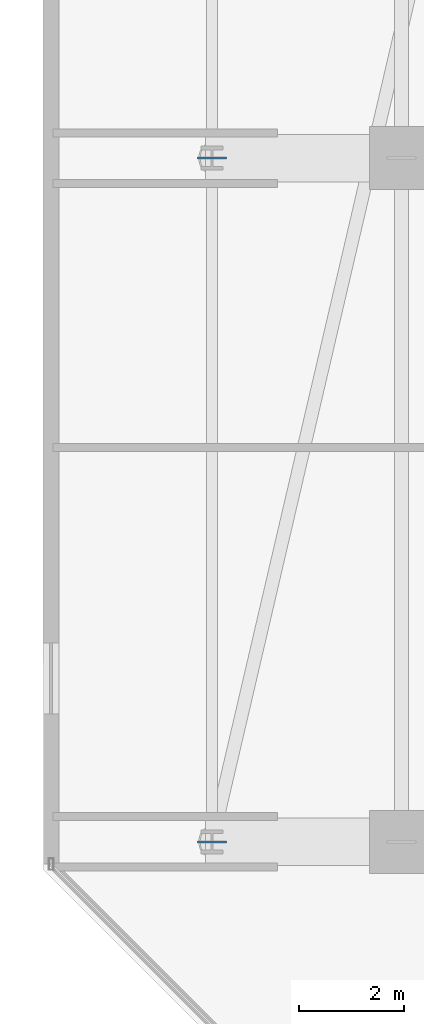
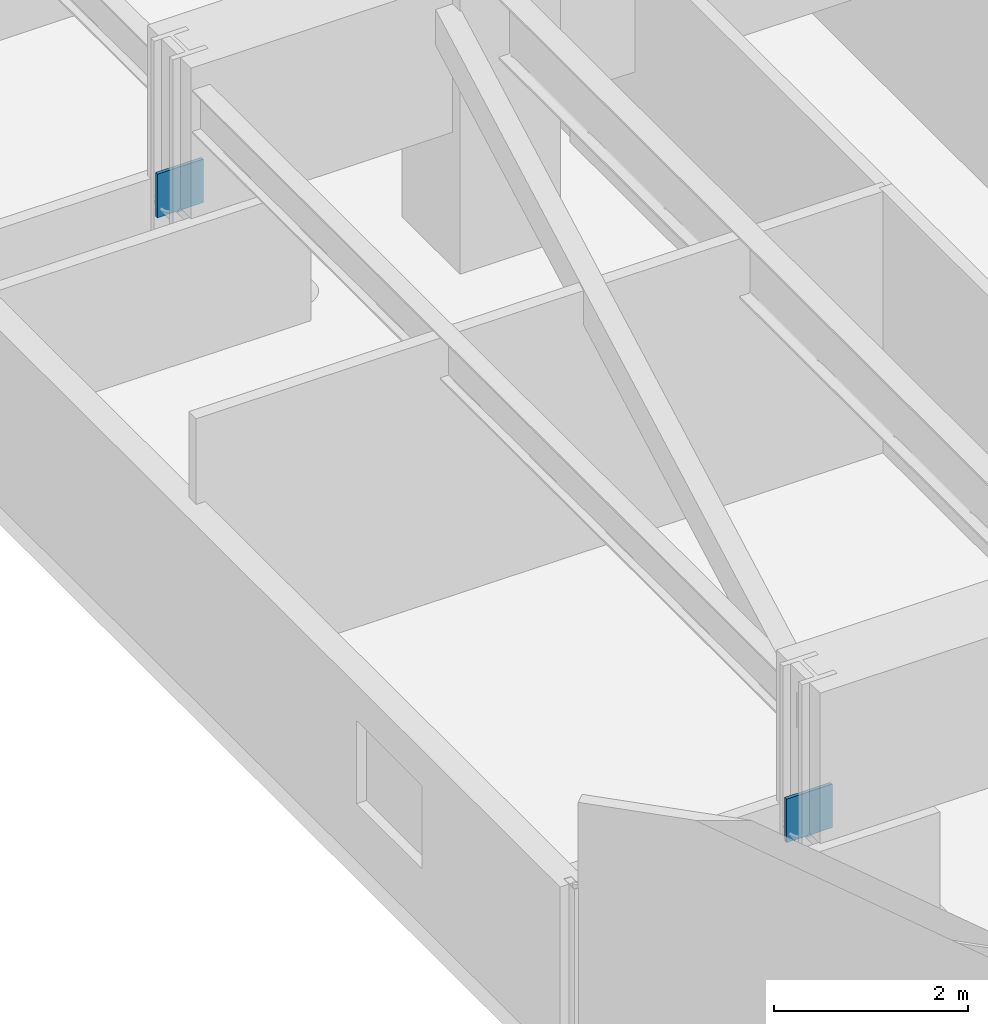
# One storey, part 18 of 36: 2 plates.
"""IFC4 building model written with IfcOpenShell, lengths in metres."""

from ifc_helpers import new_model, si_unit, direction, frame, origin, origin_2d, place, context, subcontext, project, spatial, rectangle, extrude, material, layer, layer_set, type_object, element, save


model = new_model("IFC4")

# Units and contexts
model_context = context("Model", 3, precision=1e-05, world=origin(), true_north=direction((0.0, 1.0)))
body_context = subcontext(model_context, "Body", "Model", "MODEL_VIEW")
ifc_project = project(units=[si_unit("LENGTHUNIT", "METRE"), si_unit("AREAUNIT", "SQUARE_METRE"), si_unit("VOLUMEUNIT", "CUBIC_METRE"), si_unit("PLANEANGLEUNIT", "RADIAN"), si_unit("MASSUNIT", "GRAM", prefix="KILO")], contexts=[model_context])

# Site, building, storey
site_placement = place(None, origin())
site = spatial("IfcSite", under=ifc_project, at=site_placement, CompositionType="ELEMENT")
building_placement = place(site_placement, origin())
building = spatial("IfcBuilding", under=site, at=building_placement, Name="Thornwick Lancets Civic Towers", CompositionType="ELEMENT")
storey_placement = place(building_placement, frame((0.0, 0.0, 94.5)))
storey = spatial("IfcBuildingStorey", under=building, at=storey_placement, Name="L24", CompositionType="ELEMENT", Elevation=94.5)

# Plates
ifc_material = material(Name="Steel S460M", Category="steel")
ifc_layer = layer(ifc_material, 0.0400390625, Name="Steel S460M")
ifc_layer_set = layer_set([ifc_layer], Name="Steel S460M")
plate_type = type_object("IfcPlateType", Name="PLT_GUSSET_40", PredefinedType="USERDEFINED", material=ifc_layer_set)
for number, where, z_axis, x_axis, name in (
    (1, (67.60009765625, 14.0, 1.5048828125), (0.0, 0.0, 1.0), (-1.0, 0.0, 0.0), "L24 Brace Connection Gusset Plate 0144"),
    (2, (67.60009765625, 27.0, 1.5048828125), (0.0, 0.0, 1.0), (-1.0, 0.0, 0.0), "L24 Brace Connection Gusset Plate 0146"),
):
    element("IfcPlate", number, at=place(storey_placement, frame(where, z_axis=z_axis, x_axis=x_axis)), inside=storey, type_object=plate_type, Name=name, ObjectType="GUSSET_PLATE", PredefinedType="USERDEFINED", context=body_context, shape_type="SweptSolid", body=[
        extrude(rectangle(XDim=0.550048828125, YDim=0.0400390625, at=origin_2d()), origin(), (0.0, 0.0, 1.0), 0.550048828125),
    ])

save(model, "model.ifc")
